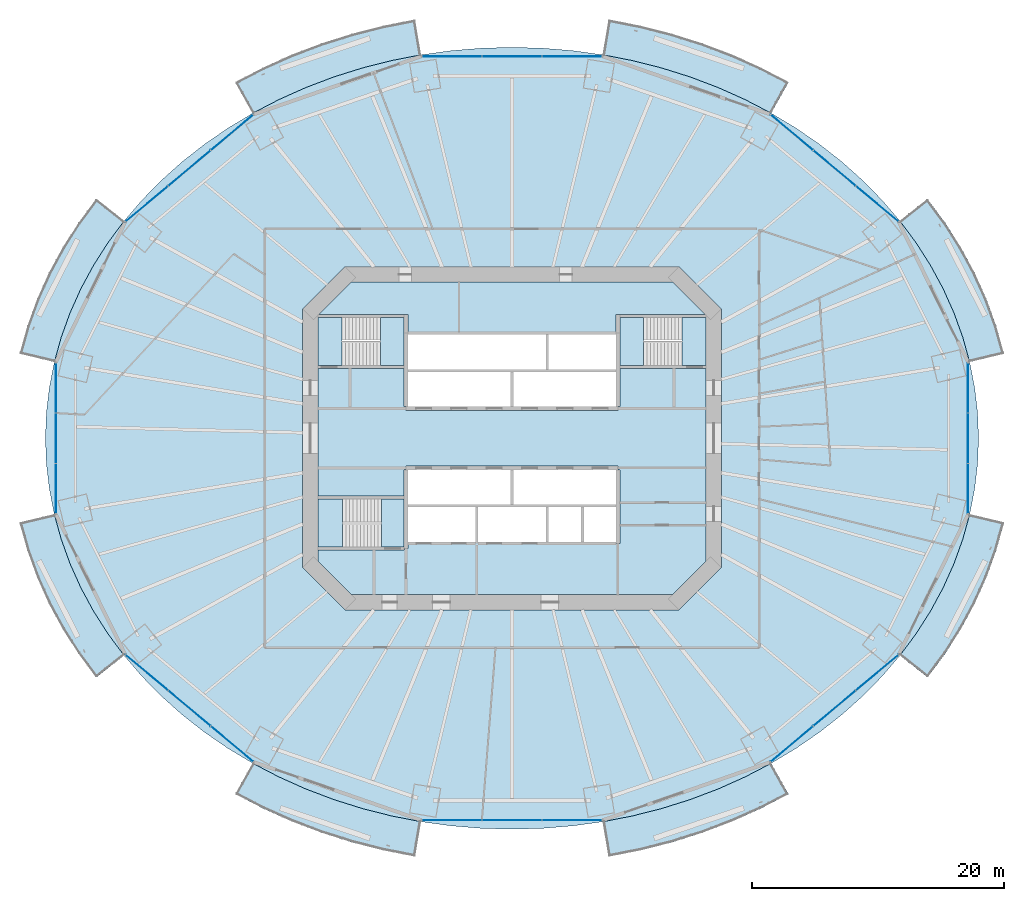
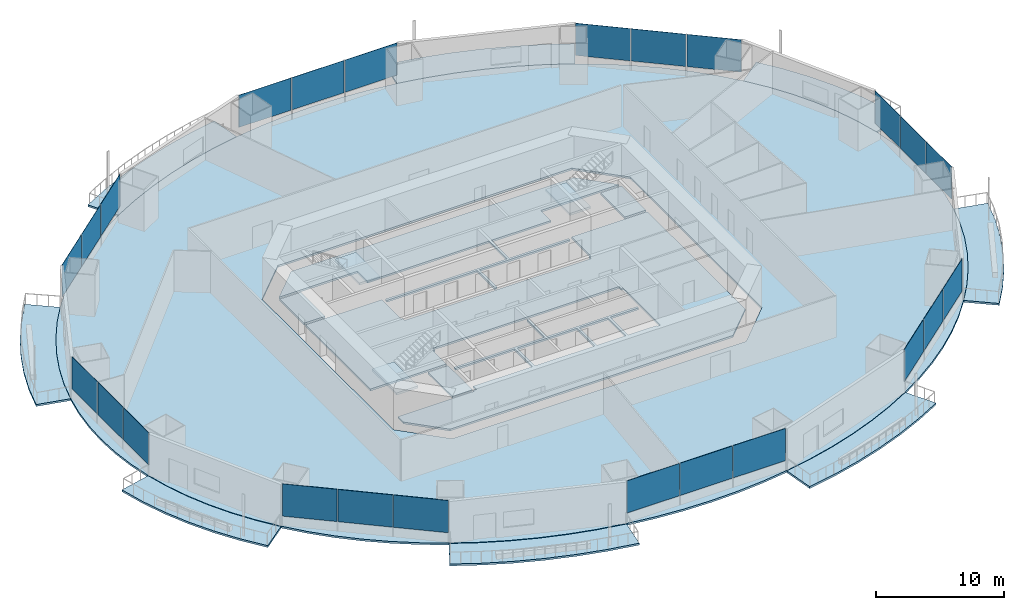
# One storey, part 13 of 23: 24 plates, 17 slabs, 11 elements without a shape of their own.
"""IFC4 building model written with IfcOpenShell, lengths in metres."""

from ifc_helpers import new_model, si_unit, direction, frame, origin, origin_2d, place, context, subcontext, project, spatial, polyline, rectangle, outline, extrude, material, layer, layer_set, type_object, element, aggregate, save


model = new_model("IFC4")

# Units and contexts
model_context = context("Model", 3, precision=1e-05, world=origin(), true_north=direction((0.0, 1.0)))
body_context = subcontext(model_context, "Body", "Model", "MODEL_VIEW")
ifc_project = project(units=[si_unit("LENGTHUNIT", "METRE"), si_unit("AREAUNIT", "SQUARE_METRE"), si_unit("VOLUMEUNIT", "CUBIC_METRE"), si_unit("PLANEANGLEUNIT", "RADIAN"), si_unit("MASSUNIT", "GRAM", prefix="KILO")], contexts=[model_context])

# Site, building, storey
site_placement = place(None, origin())
site = spatial("IfcSite", under=ifc_project, at=site_placement, CompositionType="ELEMENT")
building_placement = place(site_placement, origin())
building = spatial("IfcBuilding", under=site, at=building_placement, Name="Marenthal Gate Tower", CompositionType="ELEMENT")
storey_placement = place(building_placement, frame((0.0, 0.0, 41.300048828125)))
storey = spatial("IfcBuildingStorey", under=building, at=storey_placement, Name="L06", CompositionType="ELEMENT", Elevation=41.300048828125)

# Slabs
ifc_material_1 = material(Name="Concrete 40 MPa", Category="concrete")
ifc_layer_1 = layer(ifc_material_1, 0.179931640625)
ifc_layer_set_1 = layer_set([ifc_layer_1], Name="Balcony deck 180")
slab_type_1 = type_object("IfcSlabType", Name="Balcony deck 180", PredefinedType="USERDEFINED", material=ifc_layer_set_1)
slab_1_placement = place(storey_placement, frame((0.0, 0.0, -0.219970703125)))
element("IfcSlab", 1, at=slab_1_placement, inside=storey, type_object=slab_type_1, Name="Balcony deck L06 bay 1", ObjectType="BALCONY", PredefinedType="USERDEFINED", context=body_context, shape_type="SweptSolid", body=[
    extrude(outline(polyline([(36.2890625, 6.0478515625), (35.7392578125, 8.0234375), (35.036376953125, 9.964599609375), (34.18359375, 11.86328125), (33.184326171875, 13.7109375), (32.04296875, 15.5), (30.764404296875, 17.22265625), (32.95361328125, 18.968505859375), (34.348388671875, 17.0888671875), (35.597412109375, 15.131103515625), (36.693603515625, 13.10400390625), (37.631591796875, 11.01611328125), (38.40625, 8.876220703125), (39.013427734375, 6.694580078125), (36.2890625, 6.0478515625)])), origin(), (0.0, 0.0, 1.0), 0.179931640625),
])
slab_2_placement = place(storey_placement, frame((0.0, 0.0, -0.219970703125)))
element("IfcSlab", 2, at=slab_2_placement, inside=storey, type_object=slab_type_1, Name="Balcony deck L06 bay 3", ObjectType="BALCONY", PredefinedType="USERDEFINED", context=body_context, shape_type="SweptSolid", body=[
    extrude(outline(polyline([(20.55615234375, 25.775634765625), (18.5, 26.8466796875), (16.36474609375, 27.802978515625), (14.1591796875, 28.640380859375), (11.893310546875, 29.354736328125), (9.576416015625, 29.943603515625), (7.21826171875, 30.404296875), (7.678466796875, 33.166259765625), (10.189697265625, 32.67578125), (12.6591796875, 32.048095703125), (15.077392578125, 31.28564453125), (17.433837890625, 30.390869140625), (19.71923828125, 29.367431640625), (21.923828125, 28.21875), (20.55615234375, 25.775634765625)])), origin(), (0.0, 0.0, 1.0), 0.179931640625),
])
slab_3_placement = place(storey_placement, frame((0.0, 0.0, -0.219970703125)))
element("IfcSlab", 3, at=slab_3_placement, inside=storey, type_object=slab_type_1, Name="Balcony deck L06 bay 5", ObjectType="BALCONY", PredefinedType="USERDEFINED", context=body_context, shape_type="SweptSolid", body=[
    extrude(outline(polyline([(-7.21826171875, 30.404296875), (-9.576416015625, 29.943603515625), (-11.893310546875, 29.354736328125), (-14.1591796875, 28.640380859375), (-16.36474609375, 27.802978515625), (-18.5, 26.8466796875), (-20.55615234375, 25.775634765625), (-21.923828125, 28.21875), (-19.71923828125, 29.367431640625), (-17.433837890625, 30.390869140625), (-15.077392578125, 31.28564453125), (-12.6591796875, 32.048095703125), (-10.189697265625, 32.67578125), (-7.678466796875, 33.166259765625), (-7.21826171875, 30.404296875)])), origin(), (0.0, 0.0, 1.0), 0.179931640625),
])
slab_4_placement = place(storey_placement, frame((0.0, 0.0, -0.219970703125)))
element("IfcSlab", 4, at=slab_4_placement, inside=storey, type_object=slab_type_1, Name="Balcony deck L06 bay 7", ObjectType="BALCONY", PredefinedType="USERDEFINED", context=body_context, shape_type="SweptSolid", body=[
    extrude(outline(polyline([(-30.764404296875, 17.22265625), (-32.04296875, 15.5), (-33.184326171875, 13.7109375), (-34.18359375, 11.86328125), (-35.036376953125, 9.964599609375), (-35.7392578125, 8.0234375), (-36.2890625, 6.0478515625), (-39.013427734375, 6.694580078125), (-38.40625, 8.876220703125), (-37.631591796875, 11.01611328125), (-36.693603515625, 13.10400390625), (-35.597412109375, 15.131103515625), (-34.348388671875, 17.0888671875), (-32.95361328125, 18.968505859375), (-30.764404296875, 17.22265625)])), origin(), (0.0, 0.0, 1.0), 0.179931640625),
])
slab_5_placement = place(storey_placement, frame((0.0, 0.0, -0.219970703125)))
element("IfcSlab", 5, at=slab_5_placement, inside=storey, type_object=slab_type_1, Name="Balcony deck L06 bay 9", ObjectType="BALCONY", PredefinedType="USERDEFINED", context=body_context, shape_type="SweptSolid", body=[
    extrude(outline(polyline([(-36.2890625, -6.0478515625), (-35.7392578125, -8.0234375), (-35.036376953125, -9.964599609375), (-34.18359375, -11.86328125), (-33.184326171875, -13.7109375), (-32.04296875, -15.5), (-30.764404296875, -17.22265625), (-32.95361328125, -18.968505859375), (-34.348388671875, -17.0888671875), (-35.597412109375, -15.131103515625), (-36.693603515625, -13.10400390625), (-37.631591796875, -11.01611328125), (-38.40625, -8.876220703125), (-39.013427734375, -6.694580078125), (-36.2890625, -6.0478515625)])), origin(), (0.0, 0.0, 1.0), 0.179931640625),
])
slab_6_placement = place(storey_placement, frame((0.0, 0.0, -0.219970703125)))
element("IfcSlab", 6, at=slab_6_placement, inside=storey, type_object=slab_type_1, Name="Balcony deck L06 bay 11", ObjectType="BALCONY", PredefinedType="USERDEFINED", context=body_context, shape_type="SweptSolid", body=[
    extrude(outline(polyline([(-20.55615234375, -25.775634765625), (-18.5, -26.8466796875), (-16.36474609375, -27.802978515625), (-14.1591796875, -28.640380859375), (-11.893310546875, -29.354736328125), (-9.576416015625, -29.943603515625), (-7.21826171875, -30.404296875), (-7.678466796875, -33.166259765625), (-10.189697265625, -32.67578125), (-12.6591796875, -32.048095703125), (-15.077392578125, -31.28564453125), (-17.433837890625, -30.390869140625), (-19.71923828125, -29.367431640625), (-21.923828125, -28.21875), (-20.55615234375, -25.775634765625)])), origin(), (0.0, 0.0, 1.0), 0.179931640625),
])
slab_7_placement = place(storey_placement, frame((0.0, 0.0, -0.219970703125)))
element("IfcSlab", 7, at=slab_7_placement, inside=storey, type_object=slab_type_1, Name="Balcony deck L06 bay 13", ObjectType="BALCONY", PredefinedType="USERDEFINED", context=body_context, shape_type="SweptSolid", body=[
    extrude(outline(polyline([(7.21826171875, -30.404296875), (9.576416015625, -29.943603515625), (11.893310546875, -29.354736328125), (14.1591796875, -28.640380859375), (16.36474609375, -27.802978515625), (18.5, -26.8466796875), (20.55615234375, -25.775634765625), (21.923828125, -28.21875), (19.71923828125, -29.367431640625), (17.433837890625, -30.390869140625), (15.077392578125, -31.28564453125), (12.6591796875, -32.048095703125), (10.189697265625, -32.67578125), (7.678466796875, -33.166259765625), (7.21826171875, -30.404296875)])), origin(), (0.0, 0.0, 1.0), 0.179931640625),
])
slab_8_placement = place(storey_placement, frame((0.0, 0.0, -0.219970703125)))
element("IfcSlab", 8, at=slab_8_placement, inside=storey, type_object=slab_type_1, Name="Balcony deck L06 bay 15", ObjectType="BALCONY", PredefinedType="USERDEFINED", context=body_context, shape_type="SweptSolid", body=[
    extrude(outline(polyline([(30.764404296875, -17.22265625), (32.04296875, -15.5), (33.184326171875, -13.7109375), (34.18359375, -11.86328125), (35.036376953125, -9.964599609375), (35.7392578125, -8.0234375), (36.2890625, -6.0478515625), (39.013427734375, -6.694580078125), (38.40625, -8.876220703125), (37.631591796875, -11.01611328125), (36.693603515625, -13.10400390625), (35.597412109375, -15.131103515625), (34.348388671875, -17.0888671875), (32.95361328125, -18.968505859375), (30.764404296875, -17.22265625)])), origin(), (0.0, 0.0, 1.0), 0.179931640625),
])
ifc_material_2 = material(Name="Concrete 50 MPa", Category="concrete")
ifc_layer_2 = layer(ifc_material_2, 0.179931640625)
ifc_layer_set_2 = layer_set([ifc_layer_2], Name="Core floor slab 180")
slab_type_2 = type_object("IfcSlabType", Name="Core floor slab 180", PredefinedType="FLOOR", material=ifc_layer_set_2)
slab_9_placement = place(storey_placement, frame((0.0, 0.0, -0.179931640625)))
element("IfcSlab", 9, at=slab_9_placement, inside=storey, type_object=slab_type_2, Name="Core floor L06", PredefinedType="FLOOR", context=body_context, shape_type="SweptSolid", body=[
    extrude(outline(polyline([(15.39990234375, -9.75146484375), (12.75146484375, -12.39990234375), (-12.75146484375, -12.39990234375), (-15.39990234375, -9.75146484375), (-15.39990234375, -8.875), (-8.550048828125, -8.875), (-8.550048828125, -8.75), (-8.25, -8.75), (-8.25, -8.239990234375), (-5.60009765625, -8.239990234375), (-2.909912109375, -8.239990234375), (-2.909912109375, -5.4599609375), (-5.60009765625, -5.4599609375), (-8.25, -5.4599609375), (-8.25, -5.239990234375), (-5.60009765625, -5.239990234375), (-2.800048828125, -5.239990234375), (-0.110107421875, -5.239990234375), (-0.110107421875, -2.5), (0.110107421875, -2.5), (0.110107421875, -5.239990234375), (2.800048828125, -5.239990234375), (5.60009765625, -5.239990234375), (8.25, -5.239990234375), (8.25, -5.4599609375), (5.7099609375, -5.4599609375), (5.7099609375, -8.239990234375), (8.25, -8.239990234375), (8.25, -8.35009765625), (8.550048828125, -8.35009765625), (8.550048828125, -2.5), (8.39990234375, -2.5), (8.39990234375, -2.199951171875), (-8.39990234375, -2.199951171875), (-8.39990234375, -2.5), (-8.550048828125, -2.5), (-8.550048828125, -4.574951171875), (-15.39990234375, -4.574951171875), (-15.39990234375, 5.52490234375), (-8.550048828125, 5.52490234375), (-8.550048828125, 2.5), (-8.39990234375, 2.5), (-8.39990234375, 2.199951171875), (8.39990234375, 2.199951171875), (8.39990234375, 2.5), (8.550048828125, 2.5), (8.550048828125, 5.52490234375), (15.39990234375, 5.52490234375), (15.39990234375, -9.75146484375)]), holes=[polyline([(2.68994140625, -5.4599609375), (0.0, -5.4599609375), (-2.68994140625, -5.4599609375), (-2.68994140625, -8.239990234375), (0.0, -8.239990234375), (2.68994140625, -8.239990234375), (2.68994140625, -5.4599609375)]), polyline([(5.489990234375, -5.4599609375), (2.909912109375, -5.4599609375), (2.909912109375, -8.239990234375), (5.489990234375, -8.239990234375), (5.489990234375, -5.4599609375)])]), origin(), (0.0, 0.0, 1.0), 0.179931640625),
])
slab_10_placement = place(storey_placement, frame((0.0, 0.0, -0.179931640625)))
element("IfcSlab", 10, at=slab_10_placement, inside=storey, type_object=slab_type_2, Name="Core floor L06", PredefinedType="FLOOR", context=body_context, shape_type="SweptSolid", body=[
    extrude(outline(polyline([(15.39990234375, 5.77490234375), (13.5, 5.77490234375), (13.5, 9.574951171875), (15.39990234375, 9.574951171875), (15.39990234375, 5.77490234375)])), origin(), (0.0, 0.0, 1.0), 0.179931640625),
])
slab_11_placement = place(storey_placement, frame((0.0, 0.0, -0.179931640625)))
element("IfcSlab", 11, at=slab_11_placement, inside=storey, type_object=slab_type_2, Name="Core floor L06", PredefinedType="FLOOR", context=body_context, shape_type="SweptSolid", body=[
    extrude(outline(polyline([(12.75146484375, 12.39990234375), (15.326416015625, 9.824951171875), (8.550048828125, 9.824951171875), (8.25, 9.824951171875), (8.25, 8.35009765625), (8.25, 8.239990234375), (5.60009765625, 8.239990234375), (2.909912109375, 8.239990234375), (2.909912109375, 5.4599609375), (5.60009765625, 5.4599609375), (8.25, 5.4599609375), (8.25, 5.239990234375), (5.60009765625, 5.239990234375), (2.800048828125, 5.239990234375), (0.110107421875, 5.239990234375), (0.110107421875, 2.5), (-0.110107421875, 2.5), (-0.110107421875, 5.239990234375), (-2.800048828125, 5.239990234375), (-5.60009765625, 5.239990234375), (-8.25, 5.239990234375), (-8.25, 5.4599609375), (-5.60009765625, 5.4599609375), (-2.800048828125, 5.4599609375), (0.0, 5.4599609375), (2.68994140625, 5.4599609375), (2.68994140625, 8.239990234375), (0.0, 8.239990234375), (-2.800048828125, 8.239990234375), (-5.60009765625, 8.239990234375), (-8.25, 8.239990234375), (-8.25, 8.35009765625), (-8.25, 9.824951171875), (-8.550048828125, 9.824951171875), (-15.326416015625, 9.824951171875), (-12.75146484375, 12.39990234375), (12.75146484375, 12.39990234375)])), origin(), (0.0, 0.0, 1.0), 0.179931640625),
])
slab_12_placement = place(storey_placement, frame((0.0, 0.0, -0.179931640625)))
element("IfcSlab", 12, at=slab_12_placement, inside=storey, type_object=slab_type_2, Name="Core floor L06", PredefinedType="FLOOR", context=body_context, shape_type="SweptSolid", body=[
    extrude(outline(polyline([(-15.39990234375, 9.574951171875), (-13.5, 9.574951171875), (-13.5, 5.77490234375), (-15.39990234375, 5.77490234375), (-15.39990234375, 9.574951171875)])), origin(), (0.0, 0.0, 1.0), 0.179931640625),
])
slab_13_placement = place(storey_placement, frame((0.0, 0.0, -0.179931640625)))
element("IfcSlab", 13, at=slab_13_placement, inside=storey, type_object=slab_type_2, Name="Core floor L06", PredefinedType="FLOOR", context=body_context, shape_type="SweptSolid", body=[
    extrude(outline(polyline([(-8.550048828125, -8.625), (-10.35009765625, -8.625), (-10.35009765625, -4.824951171875), (-8.550048828125, -4.824951171875), (-8.550048828125, -8.625)])), origin(), (0.0, 0.0, 1.0), 0.179931640625),
])
ifc_material_3 = material(Name="Concrete 35 MPa", Category="concrete")
ifc_layer_3 = layer(ifc_material_3, 0.179931640625)
ifc_layer_set_3 = layer_set([ifc_layer_3], Name="Floor slab 180")
slab_type_3 = type_object("IfcSlabType", Name="Floor slab 180", PredefinedType="FLOOR", material=ifc_layer_set_3)
slab_14_placement = place(storey_placement, frame((0.0, 0.0, -0.179931640625)))
element("IfcSlab", 14, at=slab_14_placement, inside=storey, type_object=slab_type_3, Name="SL-L06-01", PredefinedType="FLOOR", context=body_context, shape_type="SweptSolid", body=[
    extrude(outline(polyline([(37.0, 0.0), (36.9208984375, 2.027587890625), (36.68359375, 4.04638671875), (36.2890625, 6.0478515625), (35.7392578125, 8.0234375), (35.036376953125, 9.964599609375), (34.18359375, 11.86328125), (33.184326171875, 13.7109375), (32.04296875, 15.5), (30.764404296875, 17.22265625), (29.35400390625, 18.87158203125), (27.818115234375, 20.439697265625), (26.1630859375, 21.92041015625), (24.395751953125, 23.306884765625), (22.524169921875, 24.593994140625), (20.55615234375, 25.775634765625), (18.5, 26.8466796875), (16.36474609375, 27.802978515625), (14.1591796875, 28.640380859375), (11.893310546875, 29.354736328125), (9.576416015625, 29.943603515625), (7.21826171875, 30.404296875), (4.82958984375, 30.73486328125), (2.419921875, 30.93359375), (0.0, 31.0), (-2.419921875, 30.93359375), (-4.82958984375, 30.73486328125), (-7.21826171875, 30.404296875), (-9.576416015625, 29.943603515625), (-11.893310546875, 29.354736328125), (-14.1591796875, 28.640380859375), (-16.36474609375, 27.802978515625), (-18.5, 26.8466796875), (-20.55615234375, 25.775634765625), (-22.524169921875, 24.593994140625), (-24.395751953125, 23.306884765625), (-26.1630859375, 21.92041015625), (-27.818115234375, 20.439697265625), (-29.35400390625, 18.87158203125), (-30.764404296875, 17.22265625), (-32.04296875, 15.5), (-33.184326171875, 13.7109375), (-34.18359375, 11.86328125), (-35.036376953125, 9.964599609375), (-35.7392578125, 8.0234375), (-36.2890625, 6.0478515625), (-36.68359375, 4.04638671875), (-36.9208984375, 2.027587890625), (-37.0, 0.0), (-36.9208984375, -2.027587890625), (-36.68359375, -4.04638671875), (-36.2890625, -6.0478515625), (-35.7392578125, -8.0234375), (-35.036376953125, -9.964599609375), (-34.18359375, -11.86328125), (-33.184326171875, -13.7109375), (-32.04296875, -15.5), (-30.764404296875, -17.22265625), (-29.35400390625, -18.87158203125), (-27.818115234375, -20.439697265625), (-26.1630859375, -21.92041015625), (-24.395751953125, -23.306884765625), (-22.524169921875, -24.593994140625), (-20.55615234375, -25.775634765625), (-18.5, -26.8466796875), (-16.36474609375, -27.802978515625), (-14.1591796875, -28.640380859375), (-11.893310546875, -29.354736328125), (-9.576416015625, -29.943603515625), (-7.21826171875, -30.404296875), (-4.82958984375, -30.73486328125), (-2.419921875, -30.93359375), (0.0, -31.0), (2.419921875, -30.93359375), (4.82958984375, -30.73486328125), (7.21826171875, -30.404296875), (9.576416015625, -29.943603515625), (11.893310546875, -29.354736328125), (14.1591796875, -28.640380859375), (16.36474609375, -27.802978515625), (18.5, -26.8466796875), (20.55615234375, -25.775634765625), (22.524169921875, -24.593994140625), (24.395751953125, -23.306884765625), (26.1630859375, -21.92041015625), (27.818115234375, -20.439697265625), (29.35400390625, -18.87158203125), (30.764404296875, -17.22265625), (32.04296875, -15.5), (33.184326171875, -13.7109375), (34.18359375, -11.86328125), (35.036376953125, -9.964599609375), (35.7392578125, -8.0234375), (36.2890625, -6.0478515625), (36.68359375, -4.04638671875), (36.9208984375, -2.027587890625), (37.0, 0.0)]), holes=[polyline([(13.24853515625, -13.60009765625), (16.60009765625, -10.24853515625), (16.60009765625, 10.24853515625), (13.24853515625, 13.60009765625), (-13.24853515625, 13.60009765625), (-16.60009765625, 10.24853515625), (-16.60009765625, -10.24853515625), (-13.24853515625, -13.60009765625), (13.24853515625, -13.60009765625)])]), origin(), (0.0, 0.0, 1.0), 0.179931640625),
])

# Curtain wall, plates
ifc_material_4 = material(Name="Aluminium and glass", Category="aluminium")
curtain_wall_type = type_object("IfcCurtainWallType", Name="Curtain wall typical low", PredefinedType="NOTDEFINED", material=ifc_material_4)
curtain_wall_1_placement = place(storey_placement, origin())
curtain_wall_1 = element("IfcCurtainWall", 15, at=curtain_wall_1_placement, inside=storey, type_object=curtain_wall_type, Name="Curtain wall L06 bay 2", PredefinedType="NOTDEFINED")
ifc_material_5 = material(Name="Glass, laminated insulating unit", Category="glass")
ifc_layer_4 = layer(ifc_material_5, 0.030029296875)
ifc_layer_set_4 = layer_set([ifc_layer_4], Name="Glass panel 30 typical low")
plate_type = type_object("IfcPlateType", Name="Glass panel 30 typical low", PredefinedType="CURTAIN_PANEL", material=ifc_layer_set_4)
plate_1_placement = place(storey_placement, frame((28.953369140625, 18.5888671875, 0.89990234375), z_axis=(0.0, 0.0, 1.0), x_axis=(-0.76671954771, 0.641982192245, 0.0)))
plate_1 = element("IfcPlate", 16, at=plate_1_placement, type_object=plate_type, Name="Glass panel L06 bay 2.1", PredefinedType="CURTAIN_PANEL", context=body_context, shape_type="SweptSolid", body=[
    extrude(rectangle(XDim=4.34375, YDim=0.030029296875, at=origin_2d()), origin(), (0.0, 0.0, 1.0), 3.070068359375),
])
plate_2_placement = place(storey_placement, frame((25.576904296875, 21.416015625, 0.89990234375), z_axis=(0.0, 0.0, 1.0), x_axis=(-0.76671954771, 0.641982192245, 0.0)))
plate_2 = element("IfcPlate", 17, at=plate_2_placement, type_object=plate_type, Name="Glass panel L06 bay 2.2", PredefinedType="CURTAIN_PANEL", context=body_context, shape_type="SweptSolid", body=[
    extrude(rectangle(XDim=4.34375, YDim=0.030029296875, at=origin_2d()), origin(), (0.0, 0.0, 1.0), 3.070068359375),
])
plate_3_placement = place(storey_placement, frame((22.20068359375, 24.242919921875, 0.89990234375), z_axis=(0.0, 0.0, 1.0), x_axis=(-0.76671954771, 0.641982192245, 0.0)))
plate_3 = element("IfcPlate", 18, at=plate_3_placement, type_object=plate_type, Name="Glass panel L06 bay 2.3", PredefinedType="CURTAIN_PANEL", context=body_context, shape_type="SweptSolid", body=[
    extrude(rectangle(XDim=4.34375, YDim=0.030029296875, at=origin_2d()), origin(), (0.0, 0.0, 1.0), 3.070068359375),
])
aggregate(curtain_wall_1, [plate_1, plate_2, plate_3])

curtain_wall_2_placement = place(storey_placement, origin())
curtain_wall_2 = element("IfcCurtainWall", 19, at=curtain_wall_2_placement, inside=storey, type_object=curtain_wall_type, Name="Curtain wall L06 bay 4", PredefinedType="NOTDEFINED")
plate_4_placement = place(storey_placement, frame((4.776611328125, 30.28662109375, 0.89990234375), z_axis=(0.0, 0.0, 1.0), x_axis=(-1.0, 0.0, 0.0)))
plate_4 = element("IfcPlate", 20, at=plate_4_placement, type_object=plate_type, Name="Glass panel L06 bay 4.1", PredefinedType="CURTAIN_PANEL", context=body_context, shape_type="SweptSolid", body=[
    extrude(rectangle(XDim=4.716552734375, YDim=0.030029296875, at=origin_2d()), origin(), (0.0, 0.0, 1.0), 3.070068359375),
])
plate_5_placement = place(storey_placement, frame((0.0, 30.28662109375, 0.89990234375), z_axis=(0.0, 0.0, 1.0), x_axis=(-1.0, 0.0, 0.0)))
plate_5 = element("IfcPlate", 21, at=plate_5_placement, type_object=plate_type, Name="Glass panel L06 bay 4.2", PredefinedType="CURTAIN_PANEL", context=body_context, shape_type="SweptSolid", body=[
    extrude(rectangle(XDim=4.716552734375, YDim=0.030029296875, at=origin_2d()), origin(), (0.0, 0.0, 1.0), 3.070068359375),
])
plate_6_placement = place(storey_placement, frame((-4.776611328125, 30.28662109375, 0.89990234375), z_axis=(0.0, 0.0, 1.0), x_axis=(-1.0, 0.0, 0.0)))
plate_6 = element("IfcPlate", 22, at=plate_6_placement, type_object=plate_type, Name="Glass panel L06 bay 4.3", PredefinedType="CURTAIN_PANEL", context=body_context, shape_type="SweptSolid", body=[
    extrude(rectangle(XDim=4.716552734375, YDim=0.030029296875, at=origin_2d()), origin(), (0.0, 0.0, 1.0), 3.070068359375),
])
aggregate(curtain_wall_2, [plate_4, plate_5, plate_6])

curtain_wall_3_placement = place(storey_placement, origin())
curtain_wall_3 = element("IfcCurtainWall", 23, at=curtain_wall_3_placement, inside=storey, type_object=curtain_wall_type, Name="Curtain wall L06 bay 6", PredefinedType="NOTDEFINED")
plate_7_placement = place(storey_placement, frame((-22.20068359375, 24.242919921875, 0.89990234375), z_axis=(0.0, 0.0, 1.0), x_axis=(-0.76671954771, -0.641982192245, 0.0)))
plate_7 = element("IfcPlate", 24, at=plate_7_placement, type_object=plate_type, Name="Glass panel L06 bay 6.1", PredefinedType="CURTAIN_PANEL", context=body_context, shape_type="SweptSolid", body=[
    extrude(rectangle(XDim=4.34375, YDim=0.030029296875, at=origin_2d()), origin(), (0.0, 0.0, 1.0), 3.070068359375),
])
plate_8_placement = place(storey_placement, frame((-25.576904296875, 21.416015625, 0.89990234375), z_axis=(0.0, 0.0, 1.0), x_axis=(-0.76671954771, -0.641982192245, 0.0)))
plate_8 = element("IfcPlate", 25, at=plate_8_placement, type_object=plate_type, Name="Glass panel L06 bay 6.2", PredefinedType="CURTAIN_PANEL", context=body_context, shape_type="SweptSolid", body=[
    extrude(rectangle(XDim=4.34375, YDim=0.030029296875, at=origin_2d()), origin(), (0.0, 0.0, 1.0), 3.070068359375),
])
plate_9_placement = place(storey_placement, frame((-28.953369140625, 18.5888671875, 0.89990234375), z_axis=(0.0, 0.0, 1.0), x_axis=(-0.76671954771, -0.641982192245, 0.0)))
plate_9 = element("IfcPlate", 26, at=plate_9_placement, type_object=plate_type, Name="Glass panel L06 bay 6.3", PredefinedType="CURTAIN_PANEL", context=body_context, shape_type="SweptSolid", body=[
    extrude(rectangle(XDim=4.34375, YDim=0.030029296875, at=origin_2d()), origin(), (0.0, 0.0, 1.0), 3.070068359375),
])
aggregate(curtain_wall_3, [plate_7, plate_8, plate_9])

curtain_wall_4_placement = place(storey_placement, origin())
curtain_wall_4 = element("IfcCurtainWall", 27, at=curtain_wall_4_placement, inside=storey, type_object=curtain_wall_type, Name="Curtain wall L06 bay 8", PredefinedType="NOTDEFINED")
plate_10_placement = place(storey_placement, frame((-36.17138671875, 3.996337890625, 0.89990234375), z_axis=(0.0, 0.0, 1.0), x_axis=(0.0, -1.0, 0.0)))
plate_10 = element("IfcPlate", 28, at=plate_10_placement, type_object=plate_type, Name="Glass panel L06 bay 8.1", PredefinedType="CURTAIN_PANEL", context=body_context, shape_type="SweptSolid", body=[
    extrude(rectangle(XDim=3.936279296875, YDim=0.030029296875, at=origin_2d()), origin(), (0.0, 0.0, 1.0), 3.070068359375),
])
plate_11_placement = place(storey_placement, frame((-36.17138671875, 0.0, 0.89990234375), z_axis=(0.0, 0.0, 1.0), x_axis=(0.0, -1.0, 0.0)))
plate_11 = element("IfcPlate", 29, at=plate_11_placement, type_object=plate_type, Name="Glass panel L06 bay 8.2", PredefinedType="CURTAIN_PANEL", context=body_context, shape_type="SweptSolid", body=[
    extrude(rectangle(XDim=3.936279296875, YDim=0.030029296875, at=origin_2d()), origin(), (0.0, 0.0, 1.0), 3.070068359375),
])
plate_12_placement = place(storey_placement, frame((-36.17138671875, -3.996337890625, 0.89990234375), z_axis=(0.0, 0.0, 1.0), x_axis=(0.0, -1.0, 0.0)))
plate_12 = element("IfcPlate", 30, at=plate_12_placement, type_object=plate_type, Name="Glass panel L06 bay 8.3", PredefinedType="CURTAIN_PANEL", context=body_context, shape_type="SweptSolid", body=[
    extrude(rectangle(XDim=3.936279296875, YDim=0.030029296875, at=origin_2d()), origin(), (0.0, 0.0, 1.0), 3.070068359375),
])
aggregate(curtain_wall_4, [plate_10, plate_11, plate_12])

curtain_wall_5_placement = place(storey_placement, origin())
curtain_wall_5 = element("IfcCurtainWall", 31, at=curtain_wall_5_placement, inside=storey, type_object=curtain_wall_type, Name="Curtain wall L06 bay 10", PredefinedType="NOTDEFINED")
plate_13_placement = place(storey_placement, frame((-28.953369140625, -18.5888671875, 0.89990234375), z_axis=(0.0, 0.0, 1.0), x_axis=(0.76671954771, -0.641982192245, 0.0)))
plate_13 = element("IfcPlate", 32, at=plate_13_placement, type_object=plate_type, Name="Glass panel L06 bay 10.1", PredefinedType="CURTAIN_PANEL", context=body_context, shape_type="SweptSolid", body=[
    extrude(rectangle(XDim=4.34375, YDim=0.030029296875, at=origin_2d()), origin(), (0.0, 0.0, 1.0), 3.070068359375),
])
plate_14_placement = place(storey_placement, frame((-25.576904296875, -21.416015625, 0.89990234375), z_axis=(0.0, 0.0, 1.0), x_axis=(0.76671954771, -0.641982192245, 0.0)))
plate_14 = element("IfcPlate", 33, at=plate_14_placement, type_object=plate_type, Name="Glass panel L06 bay 10.2", PredefinedType="CURTAIN_PANEL", context=body_context, shape_type="SweptSolid", body=[
    extrude(rectangle(XDim=4.34375, YDim=0.030029296875, at=origin_2d()), origin(), (0.0, 0.0, 1.0), 3.070068359375),
])
plate_15_placement = place(storey_placement, frame((-22.20068359375, -24.242919921875, 0.89990234375), z_axis=(0.0, 0.0, 1.0), x_axis=(0.76671954771, -0.641982192245, 0.0)))
plate_15 = element("IfcPlate", 34, at=plate_15_placement, type_object=plate_type, Name="Glass panel L06 bay 10.3", PredefinedType="CURTAIN_PANEL", context=body_context, shape_type="SweptSolid", body=[
    extrude(rectangle(XDim=4.34375, YDim=0.030029296875, at=origin_2d()), origin(), (0.0, 0.0, 1.0), 3.070068359375),
])
aggregate(curtain_wall_5, [plate_13, plate_14, plate_15])

curtain_wall_6_placement = place(storey_placement, origin())
curtain_wall_6 = element("IfcCurtainWall", 35, at=curtain_wall_6_placement, inside=storey, type_object=curtain_wall_type, Name="Curtain wall L06 bay 12", PredefinedType="NOTDEFINED")
plate_16_placement = place(storey_placement, frame((-4.776611328125, -30.28662109375, 0.89990234375), z_axis=(0.0, 0.0, 1.0), x_axis=(1.0, 0.0, 0.0)))
plate_16 = element("IfcPlate", 36, at=plate_16_placement, type_object=plate_type, Name="Glass panel L06 bay 12.1", PredefinedType="CURTAIN_PANEL", context=body_context, shape_type="SweptSolid", body=[
    extrude(rectangle(XDim=4.716552734375, YDim=0.030029296875, at=origin_2d()), origin(), (0.0, 0.0, 1.0), 3.070068359375),
])
plate_17_placement = place(storey_placement, frame((0.0, -30.28662109375, 0.89990234375), z_axis=(0.0, 0.0, 1.0), x_axis=(1.0, 0.0, 0.0)))
plate_17 = element("IfcPlate", 37, at=plate_17_placement, type_object=plate_type, Name="Glass panel L06 bay 12.2", PredefinedType="CURTAIN_PANEL", context=body_context, shape_type="SweptSolid", body=[
    extrude(rectangle(XDim=4.716552734375, YDim=0.030029296875, at=origin_2d()), origin(), (0.0, 0.0, 1.0), 3.070068359375),
])
plate_18_placement = place(storey_placement, frame((4.776611328125, -30.28662109375, 0.89990234375), z_axis=(0.0, 0.0, 1.0), x_axis=(1.0, 0.0, 0.0)))
plate_18 = element("IfcPlate", 38, at=plate_18_placement, type_object=plate_type, Name="Glass panel L06 bay 12.3", PredefinedType="CURTAIN_PANEL", context=body_context, shape_type="SweptSolid", body=[
    extrude(rectangle(XDim=4.716552734375, YDim=0.030029296875, at=origin_2d()), origin(), (0.0, 0.0, 1.0), 3.070068359375),
])
aggregate(curtain_wall_6, [plate_16, plate_17, plate_18])

curtain_wall_7_placement = place(storey_placement, origin())
curtain_wall_7 = element("IfcCurtainWall", 39, at=curtain_wall_7_placement, inside=storey, type_object=curtain_wall_type, Name="Curtain wall L06 bay 14", PredefinedType="NOTDEFINED")
plate_19_placement = place(storey_placement, frame((22.20068359375, -24.242919921875, 0.89990234375), z_axis=(0.0, 0.0, 1.0), x_axis=(0.76671954771, 0.641982192245, 0.0)))
plate_19 = element("IfcPlate", 40, at=plate_19_placement, type_object=plate_type, Name="Glass panel L06 bay 14.1", PredefinedType="CURTAIN_PANEL", context=body_context, shape_type="SweptSolid", body=[
    extrude(rectangle(XDim=4.34375, YDim=0.030029296875, at=origin_2d()), origin(), (0.0, 0.0, 1.0), 3.070068359375),
])
plate_20_placement = place(storey_placement, frame((25.576904296875, -21.416015625, 0.89990234375), z_axis=(0.0, 0.0, 1.0), x_axis=(0.76671954771, 0.641982192245, 0.0)))
plate_20 = element("IfcPlate", 41, at=plate_20_placement, type_object=plate_type, Name="Glass panel L06 bay 14.2", PredefinedType="CURTAIN_PANEL", context=body_context, shape_type="SweptSolid", body=[
    extrude(rectangle(XDim=4.34375, YDim=0.030029296875, at=origin_2d()), origin(), (0.0, 0.0, 1.0), 3.070068359375),
])
plate_21_placement = place(storey_placement, frame((28.953369140625, -18.5888671875, 0.89990234375), z_axis=(0.0, 0.0, 1.0), x_axis=(0.76671954771, 0.641982192245, 0.0)))
plate_21 = element("IfcPlate", 42, at=plate_21_placement, type_object=plate_type, Name="Glass panel L06 bay 14.3", PredefinedType="CURTAIN_PANEL", context=body_context, shape_type="SweptSolid", body=[
    extrude(rectangle(XDim=4.34375, YDim=0.030029296875, at=origin_2d()), origin(), (0.0, 0.0, 1.0), 3.070068359375),
])
aggregate(curtain_wall_7, [plate_19, plate_20, plate_21])

curtain_wall_8_placement = place(storey_placement, origin())
curtain_wall_8 = element("IfcCurtainWall", 43, at=curtain_wall_8_placement, inside=storey, type_object=curtain_wall_type, Name="Curtain wall L06 bay 16", PredefinedType="NOTDEFINED")
plate_22_placement = place(storey_placement, frame((36.17138671875, -3.996337890625, 0.89990234375), z_axis=(0.0, 0.0, 1.0), x_axis=(0.0, 1.0, 0.0)))
plate_22 = element("IfcPlate", 44, at=plate_22_placement, type_object=plate_type, Name="Glass panel L06 bay 16.1", PredefinedType="CURTAIN_PANEL", context=body_context, shape_type="SweptSolid", body=[
    extrude(rectangle(XDim=3.936279296875, YDim=0.030029296875, at=origin_2d()), origin(), (0.0, 0.0, 1.0), 3.070068359375),
])
plate_23_placement = place(storey_placement, frame((36.17138671875, 0.0, 0.89990234375), z_axis=(0.0, 0.0, 1.0), x_axis=(0.0, 1.0, 0.0)))
plate_23 = element("IfcPlate", 45, at=plate_23_placement, type_object=plate_type, Name="Glass panel L06 bay 16.2", PredefinedType="CURTAIN_PANEL", context=body_context, shape_type="SweptSolid", body=[
    extrude(rectangle(XDim=3.936279296875, YDim=0.030029296875, at=origin_2d()), origin(), (0.0, 0.0, 1.0), 3.070068359375),
])
plate_24_placement = place(storey_placement, frame((36.17138671875, 3.996337890625, 0.89990234375), z_axis=(0.0, 0.0, 1.0), x_axis=(0.0, 1.0, 0.0)))
plate_24 = element("IfcPlate", 46, at=plate_24_placement, type_object=plate_type, Name="Glass panel L06 bay 16.3", PredefinedType="CURTAIN_PANEL", context=body_context, shape_type="SweptSolid", body=[
    extrude(rectangle(XDim=3.936279296875, YDim=0.030029296875, at=origin_2d()), origin(), (0.0, 0.0, 1.0), 3.070068359375),
])
aggregate(curtain_wall_8, [plate_22, plate_23, plate_24])

# Stair, slab
ifc_material_6 = material(Name="Concrete 40 MPa", Category="concrete")
stair_type = type_object("IfcStairType", Name="Exit stair 1800", PredefinedType="HALF_TURN_STAIR", material=ifc_material_6)
stair_1_placement = place(storey_placement, origin())
stair_1 = element("IfcStair", 47, at=stair_1_placement, inside=storey, type_object=stair_type, Name="Stair ST1", PredefinedType="HALF_TURN_STAIR")
ifc_material_7 = material(Name="Concrete 40 MPa", Category="concrete")
ifc_layer_5 = layer(ifc_material_7, 0.199951171875)
ifc_layer_set_5 = layer_set([ifc_layer_5], Name="Stair landing 200")
slab_type_4 = type_object("IfcSlabType", Name="Stair landing 200", PredefinedType="LANDING", material=ifc_layer_set_5)
slab_15_placement = place(storey_placement, frame((0.0, 0.0, 1.875)))
slab_15 = element("IfcSlab", 48, at=slab_15_placement, type_object=slab_type_4, Name="ST1 landing 1", PredefinedType="LANDING", context=body_context, shape_type="SweptSolid", body=[
    extrude(outline(polyline([(-10.419921875, 5.77490234375), (-8.550048828125, 5.77490234375), (-8.550048828125, 9.574951171875), (-10.419921875, 9.574951171875), (-10.419921875, 5.77490234375)])), origin(), (0.0, 0.0, 1.0), 0.199951171875),
])
aggregate(stair_1, [slab_15])

stair_2_placement = place(storey_placement, origin())
stair_2 = element("IfcStair", 49, at=stair_2_placement, inside=storey, type_object=stair_type, Name="Stair ST2", PredefinedType="HALF_TURN_STAIR")
slab_16_placement = place(storey_placement, frame((0.0, 0.0, 1.875)))
slab_16 = element("IfcSlab", 50, at=slab_16_placement, type_object=slab_type_4, Name="ST2 landing 1", PredefinedType="LANDING", context=body_context, shape_type="SweptSolid", body=[
    extrude(outline(polyline([(-15.39990234375, -8.625), (-13.429931640625, -8.625), (-13.429931640625, -4.824951171875), (-15.39990234375, -4.824951171875), (-15.39990234375, -8.625)])), origin(), (0.0, 0.0, 1.0), 0.199951171875),
])
aggregate(stair_2, [slab_16])

stair_3_placement = place(storey_placement, origin())
stair_3 = element("IfcStair", 51, at=stair_3_placement, inside=storey, type_object=stair_type, Name="Stair ST3", PredefinedType="HALF_TURN_STAIR")
slab_17_placement = place(storey_placement, frame((0.0, 0.0, 1.875)))
slab_17 = element("IfcSlab", 52, at=slab_17_placement, type_object=slab_type_4, Name="ST3 landing 1", PredefinedType="LANDING", context=body_context, shape_type="SweptSolid", body=[
    extrude(outline(polyline([(8.550048828125, 5.77490234375), (10.419921875, 5.77490234375), (10.419921875, 9.574951171875), (8.550048828125, 9.574951171875), (8.550048828125, 5.77490234375)])), origin(), (0.0, 0.0, 1.0), 0.199951171875),
])
aggregate(stair_3, [slab_17])

save(model, "model.ifc")
